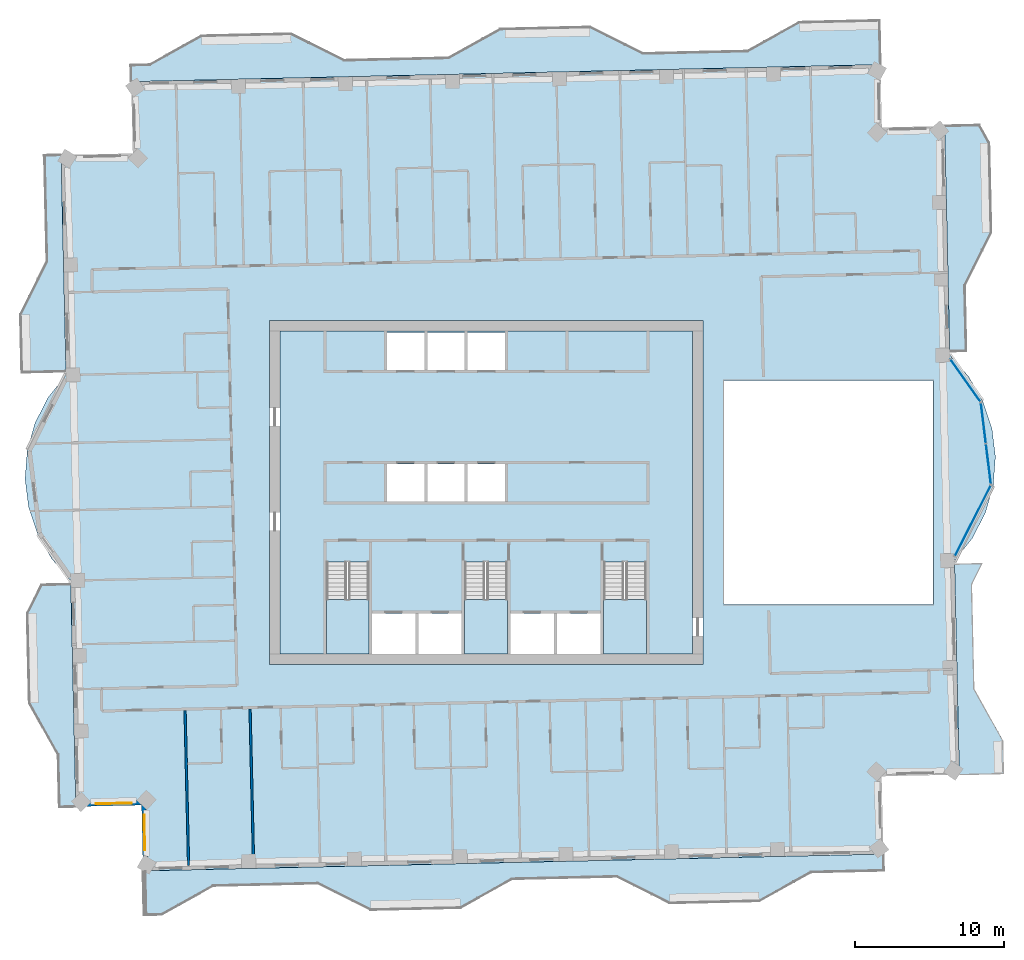
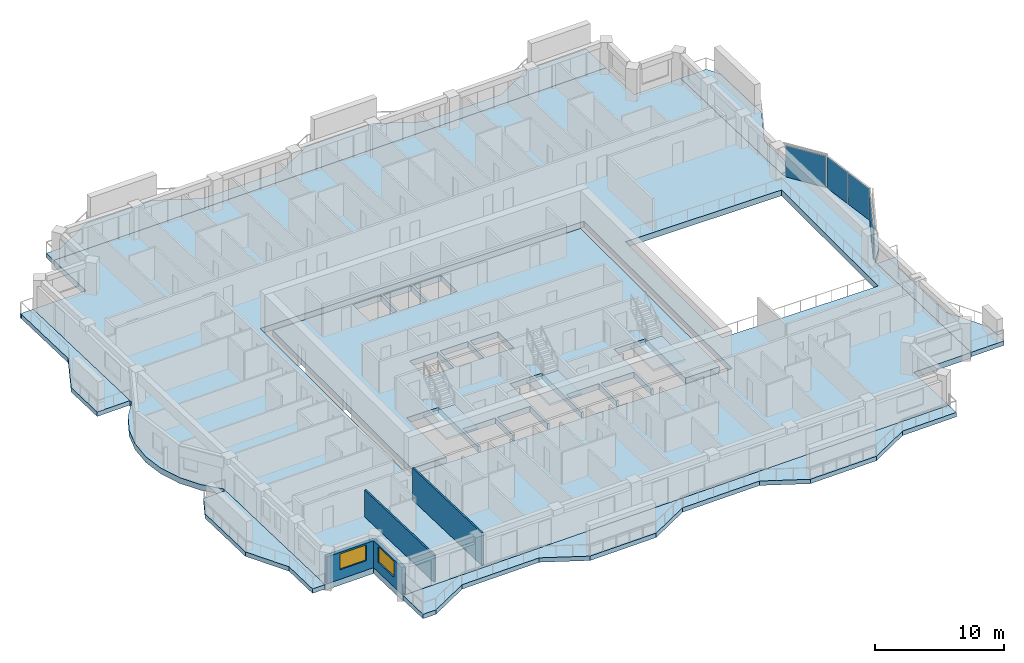
# One storey, part 7 of 20: 11 slabs, 4 plates, 4 walls, 2 windows, 2 openings, 6 elements without a shape of their own.
"""IFC4 building model written with IfcOpenShell, lengths in metres."""

from ifc_helpers import new_model, si_unit, direction, frame, frame_2d, origin, origin_2d, place, context, subcontext, project, spatial, polyline, rectangle, outline, extrude, material, layer, layer_set, type_object, element, fill, aggregate, save


model = new_model("IFC4")

# Units and contexts
model_context = context("Model", 3, precision=1e-05, world=origin(), true_north=direction((0.0, 1.0)))
body_context = subcontext(model_context, "Body", "Model", "MODEL_VIEW")
ifc_project = project(units=[si_unit("LENGTHUNIT", "METRE"), si_unit("AREAUNIT", "SQUARE_METRE"), si_unit("VOLUMEUNIT", "CUBIC_METRE"), si_unit("PLANEANGLEUNIT", "RADIAN"), si_unit("MASSUNIT", "GRAM", prefix="KILO")], contexts=[model_context])

# Site, building, storey
site_placement = place(None, origin())
site = spatial("IfcSite", under=ifc_project, at=site_placement, CompositionType="ELEMENT")
building_placement = place(site_placement, origin())
building = spatial("IfcBuilding", under=site, at=building_placement, Name="Mangrove Gate Tower", CompositionType="ELEMENT")
storey_placement = place(building_placement, frame((0.0, 0.0, 294.300048828125)))
storey = spatial("IfcBuildingStorey", under=building, at=storey_placement, Name="L75", CompositionType="ELEMENT", Elevation=294.300048828125)

# Curtain wall, plate
ifc_material_1 = material(Name="Aluminium and glass curtain wall", Category="aluminium")
curtain_wall_type = type_object("IfcCurtainWallType", Name="Atrium garden-court glazing wall", PredefinedType="NOTDEFINED", material=ifc_material_1)
curtain_wall_1_placement = place(storey_placement, origin())
curtain_wall_1 = element("IfcCurtainWall", 1, at=curtain_wall_1_placement, inside=storey, type_object=curtain_wall_type, Name="Atrium garden-court glazing E1f1", PredefinedType="NOTDEFINED")
ifc_material_2 = material(Name="Laminated low-e glass", Category="glass")
ifc_layer_1 = layer(ifc_material_2, 0.031982421875)
ifc_layer_set_1 = layer_set([ifc_layer_1], Name="Atrium garden-court glazing panel 32")
plate_type = type_object("IfcPlateType", Name="Atrium garden-court glazing panel 32", PredefinedType="CURTAIN_PANEL", material=ifc_layer_set_1)
plate_1_placement = place(storey_placement, frame((32.542236328125, -1.90087890625, 0.0), z_axis=(0.0, 0.0, 1.0), x_axis=(0.452617386511, 0.891704828644, 0.0)))
plate_1 = element("IfcPlate", 2, at=plate_1_placement, type_object=plate_type, Name="CWA panel 1.1", PredefinedType="CURTAIN_PANEL", context=body_context, shape_type="SweptSolid", body=[
    extrude(rectangle(XDim=5.258544921875, YDim=0.031982421875, at=origin_2d()), origin(), (0.0, 0.0, 1.0), 2.97998046875),
])
aggregate(curtain_wall_1, [plate_1])

# Curtain wall, plates
curtain_wall_2_placement = place(storey_placement, origin())
curtain_wall_2 = element("IfcCurtainWall", 3, at=curtain_wall_2_placement, inside=storey, type_object=curtain_wall_type, Name="Atrium garden-court glazing E1f2", PredefinedType="NOTDEFINED")
plate_2_placement = place(storey_placement, frame((33.591552734375, 1.90625, 0.0), z_axis=(0.0, 0.0, 1.0), x_axis=(-0.122172285885, 0.992508908051, 0.0)))
plate_2 = element("IfcPlate", 4, at=plate_2_placement, type_object=plate_type, Name="CWA panel 1.1", PredefinedType="CURTAIN_PANEL", context=body_context, shape_type="SweptSolid", body=[
    extrude(rectangle(XDim=2.681640625, YDim=0.031982421875, at=origin_2d()), origin(), (0.0, 0.0, 1.0), 2.97998046875),
])
plate_3_placement = place(storey_placement, frame((33.25537109375, 4.637451171875, 0.0), z_axis=(0.0, 0.0, 1.0), x_axis=(-0.122172285885, 0.992508908051, 0.0)))
plate_3 = element("IfcPlate", 5, at=plate_3_placement, type_object=plate_type, Name="CWA panel 2.1", PredefinedType="CURTAIN_PANEL", context=body_context, shape_type="SweptSolid", body=[
    extrude(rectangle(XDim=2.681640625, YDim=0.031982421875, at=origin_2d()), origin(), (0.0, 0.0, 1.0), 2.97998046875),
])
aggregate(curtain_wall_2, [plate_2, plate_3])

# Curtain wall, plate
curtain_wall_3_placement = place(storey_placement, origin())
curtain_wall_3 = element("IfcCurtainWall", 6, at=curtain_wall_3_placement, inside=storey, type_object=curtain_wall_type, Name="Atrium garden-court glazing E1f3", PredefinedType="NOTDEFINED")
plate_4_placement = place(storey_placement, frame((32.05126953125, 7.493896484375, 0.0), z_axis=(0.0, 0.0, 1.0), x_axis=(-0.578135022674, 0.815941110349, 0.0)))
plate_4 = element("IfcPlate", 7, at=plate_4_placement, type_object=plate_type, Name="CWA panel 1.1", PredefinedType="CURTAIN_PANEL", context=body_context, shape_type="SweptSolid", body=[
    extrude(rectangle(XDim=3.42919921875, YDim=0.031982421875, at=origin_2d()), origin(), (0.0, 0.0, 1.0), 2.97998046875),
])
aggregate(curtain_wall_3, [plate_4])

# Slabs
ifc_material_3 = material(Name="Porcelain tile")
ifc_layer_2 = layer(ifc_material_3, 0.02001953125, Name="Tile finish")
ifc_material_4 = material(Name="Cement sand screed")
ifc_layer_3 = layer(ifc_material_4, 0.0400390625, Name="Screed laid to falls")
ifc_material_5 = material(Name="Bituminous waterproofing membrane")
ifc_layer_4 = layer(ifc_material_5, 0.00390625, Name="Waterproofing")
ifc_material_6 = material(Name="Concrete C40/50", Category="concrete")
ifc_layer_5 = layer(ifc_material_6, 0.340087890625, Name="Balcony structural slab")
ifc_material_7 = material(Name="Limestone", Category="masonry")
ifc_layer_6 = layer(ifc_material_7, 0.01611328125, Name="Soffit lining")
ifc_layer_set_2 = layer_set([ifc_layer_2, ifc_layer_3, ifc_layer_4, ifc_layer_5, ifc_layer_6], Name="Balcony slab 420 C40/50")
slab_type_1 = type_object("IfcSlabType", Name="Balcony slab 420 C40/50", PredefinedType="FLOOR", material=ifc_layer_set_2)
slab_1_placement = place(storey_placement, frame((0.0, 0.0, -0.420166015625)))
element("IfcSlab", 8, at=slab_1_placement, inside=storey, type_object=slab_type_1, Name="BALCONY L75 E0", PredefinedType="FLOOR", context=body_context, shape_type="SweptSolid", body=[
    extrude(outline(polyline([(34.631103515625, -18.805908203125), (34.5810546875, -16.60595703125), (32.652099609375, -13.14892578125), (32.492919921875, -6.15087890625), (33.18798828125, -4.760009765625), (31.322021484375, -4.802978515625), (31.35302734375, -6.177001953125), (31.511962890625, -13.175048828125), (31.591064453125, -16.674072265625), (31.64111328125, -18.8740234375), (34.631103515625, -18.805908203125)])), origin(), (0.0, 0.0, 1.0), 0.420166015625),
])
slab_2_placement = place(storey_placement, frame((0.0, 0.0, -0.420166015625)))
element("IfcSlab", 9, at=slab_2_placement, inside=storey, type_object=slab_type_1, Name="BALCONY L75 E1", PredefinedType="FLOOR", context=body_context, shape_type="SweptSolid", body=[
    extrude(outline(polyline([(32.137939453125, 9.469970703125), (32.0390625, 13.843994140625), (33.80908203125, 17.385009765625), (33.673095703125, 23.383056640625), (33.011962890625, 24.569091796875), (30.656982421875, 24.514892578125), (30.68408203125, 23.31494140625), (30.820068359375, 17.31689453125), (30.89892578125, 13.818115234375), (30.9990234375, 9.444091796875), (32.137939453125, 9.469970703125)])), origin(), (0.0, 0.0, 1.0), 0.420166015625),
])
slab_3_placement = place(storey_placement, frame((0.0, 0.0, -0.420166015625)))
element("IfcSlab", 10, at=slab_3_placement, inside=storey, type_object=slab_type_1, Name="BALCONY L75 N0", PredefinedType="FLOOR", context=body_context, shape_type="SweptSolid", body=[
    extrude(outline(polyline([(26.294921875, 31.60791015625), (20.927978515625, 31.486083984375), (17.470947265625, 29.556884765625), (10.472900390625, 29.39794921875), (6.931884765625, 31.1689453125), (0.93310546875, 31.031982421875), (-2.52392578125, 29.10400390625), (-9.52197265625, 28.946044921875), (-13.06298828125, 30.715087890625), (-19.06201171875, 30.5791015625), (-22.51904296875, 28.64990234375), (-23.785888671875, 28.62109375), (-23.760986328125, 27.48095703125), (26.363037109375, 28.618896484375), (26.294921875, 31.60791015625)])), origin(), (0.0, 0.0, 1.0), 0.420166015625),
])
slab_4_placement = place(storey_placement, frame((0.0, 0.0, -0.420166015625)))
element("IfcSlab", 11, at=slab_4_placement, inside=storey, type_object=slab_type_1, Name="BALCONY L75 W0", PredefinedType="FLOOR", context=body_context, shape_type="SweptSolid", body=[
    extrude(outline(polyline([(-29.64306640625, 22.547119140625), (-29.587890625, 22.447998046875), (-29.428955078125, 15.449951171875), (-31.198974609375, 11.908935546875), (-31.111083984375, 8.034912109375), (-28.1220703125, 8.10302734375), (-28.2099609375, 11.97607421875), (-28.2890625, 15.47509765625), (-28.447998046875, 22.47412109375), (-28.449951171875, 22.573974609375), (-29.64306640625, 22.547119140625)])), origin(), (0.0, 0.0, 1.0), 0.420166015625),
])
slab_5_placement = place(storey_placement, frame((0.0, 0.0, -0.420166015625)))
element("IfcSlab", 12, at=slab_5_placement, inside=storey, type_object=slab_type_1, Name="BALCONY L75 W1", PredefinedType="FLOOR", context=body_context, shape_type="SweptSolid", body=[
    extrude(outline(polyline([(-29.797119140625, -6.18994140625), (-30.7451171875, -8.0859375), (-30.60888671875, -14.0849609375), (-28.679931640625, -17.5419921875), (-28.60107421875, -21.041015625), (-27.4609375, -21.014892578125), (-27.541015625, -17.51611328125), (-27.6201171875, -14.01708984375), (-27.756103515625, -8.01904296875), (-27.799072265625, -6.14404296875), (-29.797119140625, -6.18994140625)])), origin(), (0.0, 0.0, 1.0), 0.420166015625),
])
slab_6_placement = place(storey_placement, frame((0.0, 0.0, -0.420166015625)))
element("IfcSlab", 13, at=slab_6_placement, inside=storey, type_object=slab_type_1, Name="BALCONY L75 S0", PredefinedType="FLOOR", context=body_context, shape_type="SweptSolid", body=[
    extrude(outline(polyline([(-22.89501953125, -28.302978515625), (-21.72705078125, -28.277099609375), (-18.27001953125, -26.347900390625), (-11.27197265625, -26.18896484375), (-7.73095703125, -27.958984375), (-1.73193359375, -27.822998046875), (1.72509765625, -25.89404296875), (8.722900390625, -25.736083984375), (12.263916015625, -27.506103515625), (18.262939453125, -27.368896484375), (21.719970703125, -25.44091796875), (26.5869140625, -25.330078125), (26.56103515625, -24.18994140625), (-22.962890625, -25.31396484375), (-22.89501953125, -28.302978515625)])), origin(), (0.0, 0.0, 1.0), 0.420166015625),
])
ifc_material_8 = material(Name="Concrete C40/50", Category="concrete")
ifc_layer_7 = layer(ifc_material_8, 0.550048828125)
ifc_layer_set_3 = layer_set([ifc_layer_7], Name="Core floor slab 550 C40/50")
slab_type_2 = type_object("IfcSlabType", Name="Core floor slab 550 C40/50", PredefinedType="FLOOR", material=ifc_layer_set_3)
slab_7_placement = place(storey_placement, frame((0.0, 0.0, -0.550048828125)))
element("IfcSlab", 14, at=slab_7_placement, inside=storey, type_object=slab_type_2, Name="SLAB-L75-CORE-1", PredefinedType="FLOOR", context=body_context, shape_type="SweptSolid", body=[
    extrude(outline(polyline([(-13.800048828125, -10.800048828125), (-13.800048828125, 10.800048828125), (13.800048828125, 10.800048828125), (13.800048828125, -10.800048828125), (10.699951171875, -10.800048828125), (10.699951171875, -4.653076171875), (7.85009765625, -4.653076171875), (7.85009765625, -10.800048828125), (7.64990234375, -10.800048828125), (7.64990234375, -8.10009765625), (4.72509765625, -8.10009765625), (4.72509765625, -10.800048828125), (4.52490234375, -10.800048828125), (4.52490234375, -8.10009765625), (1.60009765625, -8.10009765625), (1.60009765625, -10.800048828125), (1.39990234375, -10.800048828125), (1.39990234375, -4.653076171875), (-1.449951171875, -4.653076171875), (-1.449951171875, -10.800048828125), (-1.64990234375, -10.800048828125), (-1.64990234375, -8.10009765625), (-4.550048828125, -8.10009765625), (-4.550048828125, -10.800048828125), (-4.75, -10.800048828125), (-4.75, -8.10009765625), (-7.64990234375, -8.10009765625), (-7.64990234375, -10.800048828125), (-7.85009765625, -10.800048828125), (-7.85009765625, -4.653076171875), (-10.699951171875, -4.653076171875), (-10.699951171875, -10.800048828125), (-13.800048828125, -10.800048828125)]), holes=[polyline([(-4.14990234375, 1.89990234375), (-6.64990234375, 1.89990234375), (-6.64990234375, -0.60009765625), (-4.14990234375, -0.60009765625), (-4.14990234375, 1.89990234375)]), polyline([(-1.449951171875, -0.60009765625), (-1.449951171875, 1.89990234375), (-3.949951171875, 1.89990234375), (-3.949951171875, -0.60009765625), (-1.449951171875, -0.60009765625)]), polyline([(-4.14990234375, 8.199951171875), (-4.14990234375, 10.699951171875), (-6.64990234375, 10.699951171875), (-6.64990234375, 8.199951171875), (-4.14990234375, 8.199951171875)]), polyline([(-1.449951171875, 10.699951171875), (-3.949951171875, 10.699951171875), (-3.949951171875, 8.199951171875), (-1.449951171875, 8.199951171875), (-1.449951171875, 10.699951171875)]), polyline([(1.25, -0.60009765625), (1.25, 1.89990234375), (-1.25, 1.89990234375), (-1.25, -0.60009765625), (1.25, -0.60009765625)]), polyline([(1.25, 8.199951171875), (1.25, 10.699951171875), (-1.25, 10.699951171875), (-1.25, 8.199951171875), (1.25, 8.199951171875)])]), origin(), (0.0, 0.0, 1.0), 0.550048828125),
])

# Stair, slab
ifc_material_9 = material(Name="Concrete C40/50", Category="concrete")
stair_type = type_object("IfcStairType", Name="Core stair 1350", PredefinedType="HALF_TURN_STAIR", material=ifc_material_9)
stair_1_placement = place(storey_placement, origin())
stair_1 = element("IfcStair", 15, at=stair_1_placement, inside=storey, type_object=stair_type, Name="L75 Stair 1", PredefinedType="HALF_TURN_STAIR")
ifc_material_10 = material(Name="Concrete C40/50", Category="concrete")
ifc_layer_8 = layer(ifc_material_10, 0.199951171875)
ifc_layer_set_4 = layer_set([ifc_layer_8], Name="Core stair landing 200")
slab_type_3 = type_object("IfcSlabType", Name="Core stair landing 200", PredefinedType="LANDING", material=ifc_layer_set_4)
slab_8_placement = place(storey_placement, frame((0.0, 0.0, 1.599853515625)))
slab_8 = element("IfcSlab", 16, at=slab_8_placement, type_object=slab_type_3, Name="ST1 landing 1", PredefinedType="LANDING", context=body_context, shape_type="SweptSolid", body=[
    extrude(outline(polyline([(-10.699951171875, -7.169921875), (-10.699951171875, -10.800048828125), (-7.85009765625, -10.800048828125), (-7.85009765625, -7.169921875), (-10.699951171875, -7.169921875)])), origin(), (0.0, 0.0, 1.0), 0.2001953125),
])
aggregate(stair_1, [slab_8])

stair_2_placement = place(storey_placement, origin())
stair_2 = element("IfcStair", 17, at=stair_2_placement, inside=storey, type_object=stair_type, Name="L75 Stair 2", PredefinedType="HALF_TURN_STAIR")
slab_9_placement = place(storey_placement, frame((0.0, 0.0, 1.599853515625)))
slab_9 = element("IfcSlab", 18, at=slab_9_placement, type_object=slab_type_3, Name="ST2 landing 1", PredefinedType="LANDING", context=body_context, shape_type="SweptSolid", body=[
    extrude(outline(polyline([(-1.449951171875, -7.169921875), (-1.449951171875, -10.800048828125), (1.39990234375, -10.800048828125), (1.39990234375, -7.169921875), (-1.449951171875, -7.169921875)])), origin(), (0.0, 0.0, 1.0), 0.2001953125),
])
aggregate(stair_2, [slab_9])

stair_3_placement = place(storey_placement, origin())
stair_3 = element("IfcStair", 19, at=stair_3_placement, inside=storey, type_object=stair_type, Name="L75 Stair 3", PredefinedType="HALF_TURN_STAIR")
slab_10_placement = place(storey_placement, frame((0.0, 0.0, 1.599853515625)))
slab_10 = element("IfcSlab", 20, at=slab_10_placement, type_object=slab_type_3, Name="ST3 landing 1", PredefinedType="LANDING", context=body_context, shape_type="SweptSolid", body=[
    extrude(outline(polyline([(7.85009765625, -7.169921875), (7.85009765625, -10.800048828125), (10.699951171875, -10.800048828125), (10.699951171875, -7.169921875), (7.85009765625, -7.169921875)])), origin(), (0.0, 0.0, 1.0), 0.2001953125),
])
aggregate(stair_3, [slab_10])

# Slab
ifc_material_11 = material(Name="Concrete C40/50", Category="concrete")
ifc_layer_9 = layer(ifc_material_11, 0.550048828125)
ifc_layer_set_5 = layer_set([ifc_layer_9], Name="Floor slab 550 C40/50")
slab_type_4 = type_object("IfcSlabType", Name="Floor slab 550 C40/50", PredefinedType="FLOOR", material=ifc_layer_set_5)
slab_11_placement = place(storey_placement, frame((0.0, 0.0, -0.550048828125)))
element("IfcSlab", 21, at=slab_11_placement, inside=storey, type_object=slab_type_4, Name="Floor slab L75", PredefinedType="FLOOR", context=body_context, shape_type="SweptSolid", body=[
    extrude(outline(polyline([(-22.962646484375, -25.314208984375), (26.560791015625, -24.1904296875), (26.442626953125, -18.99169921875), (31.641357421875, -18.873779296875), (31.31640625, -4.552734375), (32.512939453125, -3.060302734375), (33.389892578125, -1.360595703125), (33.912353515625, 0.4794921875), (34.0595703125, 2.38671875), (33.825927734375, 4.28515625), (33.220458984375, 6.099365234375), (32.267333984375, 7.7578125), (31.00439453125, 9.1943359375), (30.65673828125, 24.51513671875), (26.457763671875, 24.419921875), (26.362548828125, 28.61865234375), (-23.760498046875, 27.481201171875), (-23.651611328125, 22.6826171875), (-28.450439453125, 22.57373046875), (-28.116455078125, 7.852783203125), (-29.31298828125, 6.3603515625), (-30.18994140625, 4.660400390625), (-30.71240234375, 2.820556640625), (-30.859619140625, 0.913330078125), (-30.6259765625, -0.985107421875), (-30.0205078125, -2.799560546875), (-29.0673828125, -4.457763671875), (-27.804443359375, -5.894287109375), (-27.461181640625, -21.01513671875), (-23.0625, -20.915283203125), (-22.962646484375, -25.314208984375)]), holes=[polyline([(15.89990234375, 7.5), (29.889892578125, 7.5), (29.889892578125, -7.5), (15.89990234375, -7.5), (15.89990234375, 7.5)]), polyline([(-14.5, -11.5), (-14.5, 11.5), (14.5, 11.5), (14.5, -11.5), (-14.5, -11.5)])]), origin(), (0.0, 0.0, 1.0), 0.550048828125),
])

# Wall, opening, window
ifc_layer_10 = layer(ifc_material_7, 0.0400390625, Name="Limestone cladding")
ifc_material_12 = material(Name="Ventilated air gap")
ifc_layer_11 = layer(ifc_material_12, 0.0400390625, Name="Ventilated cavity")
ifc_material_13 = material(Name="Mineral wool insulation")
ifc_layer_12 = layer(ifc_material_13, 0.06005859375, Name="Insulation")
ifc_material_14 = material(Name="Breather membrane")
ifc_layer_13 = layer(ifc_material_14, 0.001953125, Name="Breather membrane")
ifc_material_15 = material(Name="Concrete C20/25 blockwork", Category="masonry")
ifc_layer_14 = layer(ifc_material_15, 0.14990234375, Name="Blockwork backing wall")
ifc_material_16 = material(Name="Gypsum plaster")
ifc_layer_15 = layer(ifc_material_16, 0.008056640625, Name="Internal plaster")
ifc_layer_set_6 = layer_set([ifc_layer_10, ifc_layer_11, ifc_layer_12, ifc_layer_13, ifc_layer_14, ifc_layer_15], Name="External wall 300 limestone cladding")
wall_type_1 = type_object("IfcWallType", Name="External wall 300 limestone cladding", PredefinedType="SOLIDWALL", material=ifc_layer_set_6)
wall_1_placement = place(storey_placement, frame((-27.31494140625, -20.862060546875, 0.0), z_axis=(0.0, 0.0, 1.0), x_axis=(0.999741204967, 0.022749133868, 0.0)))
wall_1 = element("IfcWall", 22, at=wall_1_placement, inside=storey, type_object=wall_type_1, Name="WALL-L75-S11", PredefinedType="SOLIDWALL", context=body_context, shape_type="SweptSolid", body=[
    extrude(rectangle(XDim=4.400146484375, YDim=0.300048828125, at=frame_2d((2.2001953125, 0.0))), origin(), (0.0, 0.0, 1.0), 2.550048828125),
])
opening_1_placement = place(wall_1_placement, frame((1.196044921875, 0.0, 0.89990234375)))
opening_1 = element("IfcOpeningElement", 23, at=opening_1_placement, cuts=wall_1, Name="Opening W2", PredefinedType="OPENING", context=body_context, shape_type="SweptSolid", body=[
    extrude(rectangle(XDim=2.39990234375, YDim=1.5, at=frame_2d((1.199951171875, 0.75))), frame((0.0, 0.159912109375, 0.0), z_axis=(0.0, -1.0, 0.0), x_axis=(1.0, 0.0, 0.0)), (0.0, 0.0, 1.0), 0.320068359375),
])
ifc_material_17 = material(Name="Aluminium frame with double-glazed low-e glass", Category="aluminium")
window_type = type_object("IfcWindowType", Name="Corner room window 2400x1500", PartitioningType="DOUBLE_PANEL_VERTICAL", PredefinedType="WINDOW", material=ifc_material_17)
window_1_placement = place(opening_1_placement, origin())
window_1 = element("IfcWindow", 24, at=window_1_placement, inside=storey, type_object=window_type, Name="WIN-L75-S11-1", OverallHeight=1.5, OverallWidth=2.39990234375, PartitioningType="DOUBLE_PANEL_VERTICAL", PredefinedType="WINDOW", context=body_context, shape_type="SweptSolid", body=[
    extrude(rectangle(XDim=2.39990234375, YDim=1.5, at=frame_2d((1.199951171875, 0.75))), frame((0.0, 0.030029296875, 0.0), z_axis=(0.0, -1.0, 0.0), x_axis=(1.0, 0.0, 0.0)), (0.0, 0.0, 1.0), 0.06005859375),
])
fill(opening_1, window_1)

wall_2_placement = place(storey_placement, frame((-22.916015625, -20.761962890625, 0.0), z_axis=(0.0, 0.0, 1.0), x_axis=(0.022749133868, -0.999741204967, 0.0)))
wall_2 = element("IfcWall", 25, at=wall_2_placement, inside=storey, type_object=wall_type_1, Name="WALL-L75-W12", PredefinedType="SOLIDWALL", context=body_context, shape_type="SweptSolid", body=[
    extrude(rectangle(XDim=4.400146484375, YDim=0.300048828125, at=frame_2d((2.2001953125, 0.0))), origin(), (0.0, 0.0, 1.0), 2.550048828125),
])
opening_2_placement = place(wall_2_placement, frame((0.7890625, 0.0, 0.89990234375)))
opening_2 = element("IfcOpeningElement", 26, at=opening_2_placement, cuts=wall_2, Name="Opening W2", PredefinedType="OPENING", context=body_context, shape_type="SweptSolid", body=[
    extrude(rectangle(XDim=2.39990234375, YDim=1.5, at=frame_2d((1.199951171875, 0.75))), frame((0.0, 0.159912109375, 0.0), z_axis=(0.0, -1.0, 0.0), x_axis=(1.0, 0.0, 0.0)), (0.0, 0.0, 1.0), 0.320068359375),
])
window_2_placement = place(opening_2_placement, origin())
window_2 = element("IfcWindow", 27, at=window_2_placement, inside=storey, type_object=window_type, Name="WIN-L75-W12-1", OverallHeight=1.5, OverallWidth=2.39990234375, PartitioningType="DOUBLE_PANEL_VERTICAL", PredefinedType="WINDOW", context=body_context, shape_type="SweptSolid", body=[
    extrude(rectangle(XDim=2.39990234375, YDim=1.5, at=frame_2d((1.199951171875, 0.75))), frame((0.0, 0.030029296875, 0.0), z_axis=(0.0, -1.0, 0.0), x_axis=(1.0, 0.0, 0.0)), (0.0, 0.0, 1.0), 0.06005859375),
])
fill(opening_2, window_2)

# Walls
ifc_material_18 = material(Name="Gypsum board on steel stud, EI 60", Category="steel")
ifc_layer_16 = layer(ifc_material_18, 0.14990234375)
ifc_layer_set_7 = layer_set([ifc_layer_16], Name="Party wall 150 EI 60")
wall_type_2 = type_object("IfcWallType", Name="Party wall 150 EI 60", PredefinedType="PARTITIONING", material=ifc_layer_set_7)
wall_3_placement = place(storey_placement, frame((-19.922119140625, -24.945068359375, 0.0), z_axis=(0.0, 0.0, 1.0), x_axis=(-0.022692470342, 0.99974249274, 0.0)))
element("IfcWall", 28, at=wall_3_placement, inside=storey, type_object=wall_type_2, Name="WALL-L75-001", PredefinedType="PARTITIONING", context=body_context, shape_type="SweptSolid", body=[
    extrude(rectangle(XDim=10.349853515625, YDim=0.14990234375, at=frame_2d((5.1748046875, 0.0))), origin(), (0.0, 0.0, 1.0), 2.550048828125),
])
wall_4_placement = place(storey_placement, frame((-15.572998046875, -24.846923828125, 0.0), z_axis=(0.0, 0.0, 1.0), x_axis=(-0.022714440015, 0.999741993824, 0.0)))
element("IfcWall", 29, at=wall_4_placement, inside=storey, type_object=wall_type_2, Name="WALL-L75-002", PredefinedType="PARTITIONING", context=body_context, shape_type="SweptSolid", body=[
    extrude(rectangle(XDim=10.3505859375, YDim=0.14990234375, at=frame_2d((5.17529296875, 0.0))), origin(), (0.0, 0.0, 1.0), 3.050048828125),
])

save(model, "model.ifc")
